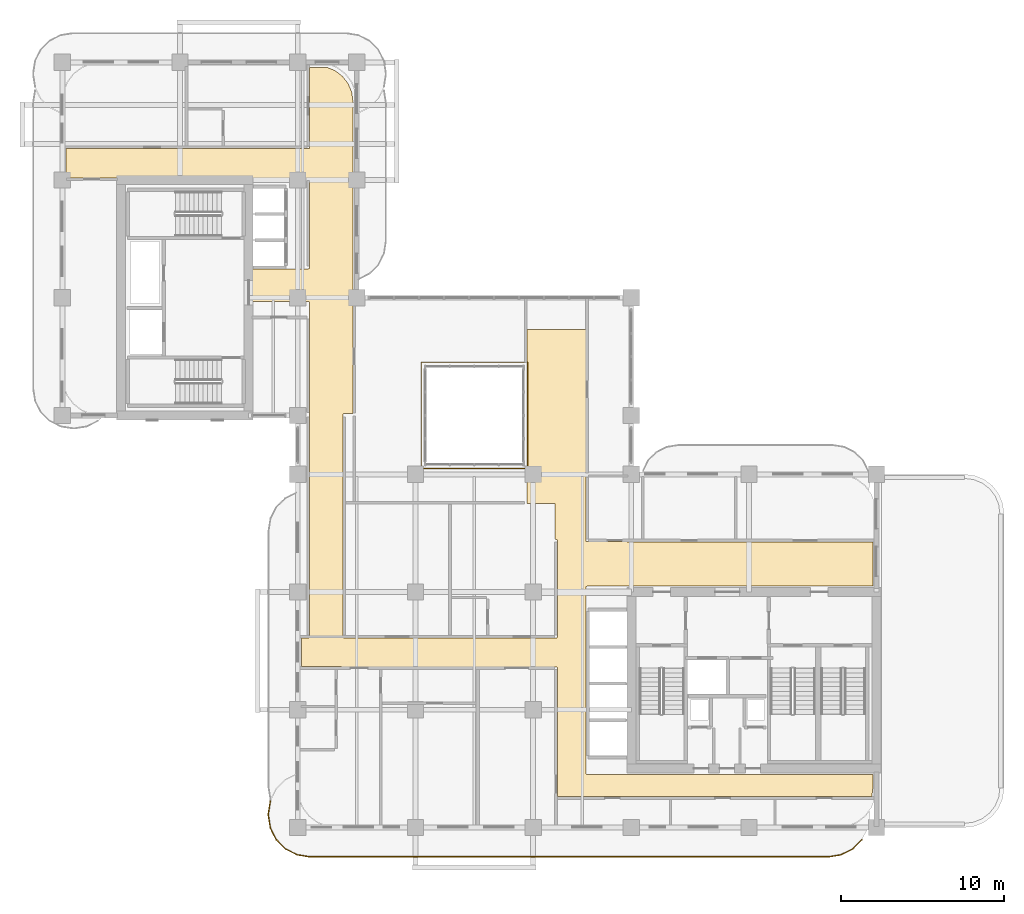
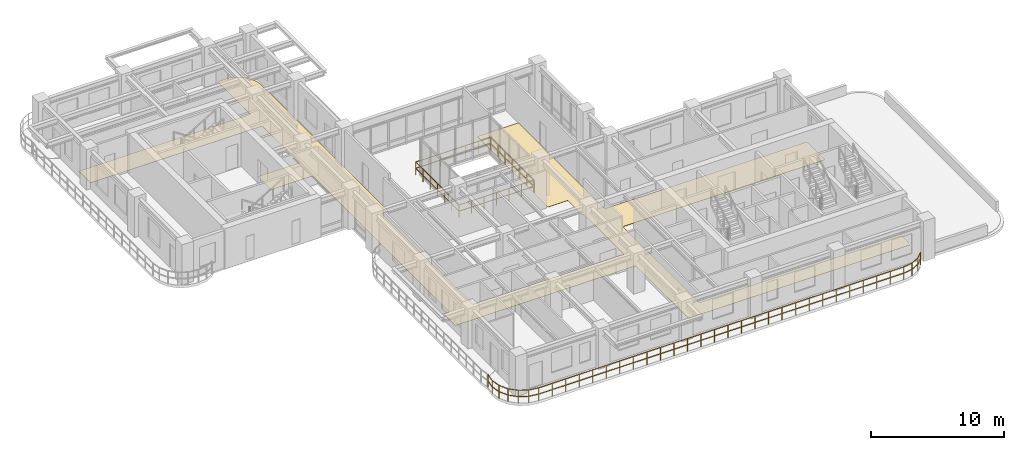
# One storey, part 17 of 20: 2 railings, 1 covering.
"""IFC4 building model written with IfcOpenShell, lengths in metres."""

from ifc_helpers import new_model, si_unit, derived_unit, direction, frame, origin, origin_2d, place, context, subcontext, project, spatial, polyline, rectangle, outline, extrude, material, layer, layer_set, type_object, element, save


model = new_model("IFC4")

# Units and contexts
model_context = context("Model", 3, precision=1e-05, world=origin(), true_north=direction((0.0, 1.0)))
body_context = subcontext(model_context, "Body", "Model", "MODEL_VIEW")
ifc_project = project(units=[si_unit("LENGTHUNIT", "METRE"), si_unit("AREAUNIT", "SQUARE_METRE"), si_unit("VOLUMEUNIT", "CUBIC_METRE"), si_unit("PLANEANGLEUNIT", "RADIAN"), si_unit("MASSUNIT", "GRAM", prefix="KILO"), si_unit("THERMODYNAMICTEMPERATUREUNIT", "KELVIN"), si_unit("POWERUNIT", "WATT"), derived_unit("THERMALTRANSMITTANCEUNIT", [(si_unit("POWERUNIT", "WATT"), 1), (si_unit("AREAUNIT", "SQUARE_METRE"), -1), (si_unit("THERMODYNAMICTEMPERATUREUNIT", "KELVIN"), -1)])], contexts=[model_context])

# Site, building, storey
site_placement = place(None, origin())
site = spatial("IfcSite", under=ifc_project, at=site_placement, CompositionType="ELEMENT")
building_placement = place(site_placement, origin())
building = spatial("IfcBuilding", under=site, at=building_placement, Name="Zahravan Archway Hotel and Residences", CompositionType="ELEMENT")
storey_placement = place(building_placement, frame((0.0, 0.0, 111.800048828125)))
storey = spatial("IfcBuildingStorey", under=building, at=storey_placement, Name="L27", CompositionType="ELEMENT", Elevation=111.800048828125)

# Covering
ifc_material_1 = material(Name="Engineered Walnut Parquet Flooring")
ifc_layer = layer(ifc_material_1, 0.02197265625, Name="Engineered Walnut Parquet Flooring")
ifc_layer_set = layer_set([ifc_layer], Name="Engineered Walnut Parquet Flooring")
covering_type = type_object("IfcCoveringType", Name="COV-FLR-TIMB", PredefinedType="FLOORING", material=ifc_layer_set)
covering_placement = place(storey_placement, origin())
element("IfcCovering", 1, at=covering_placement, inside=storey, type_object=covering_type, Name="L27 Circulation Floor Finish", PredefinedType="FLOORING", context=body_context, shape_type="SweptSolid", body=[
    extrude(outline(polyline([(32.08447265625, 14.75341796875), (32.04345703125, 14.731689453125), (32.021484375, 14.690673828125), (32.02001953125, 3.324951171875), (32.033447265625, 3.280517578125), (32.0693359375, 3.251220703125), (49.580078125, 3.2451171875), (49.580078125, 2.414306640625), (49.509521484375, 1.8798828125), (30.280029296875, 1.8798828125), (30.280029296875, 9.75), (30.2666015625, 9.79443359375), (30.230712890625, 9.823974609375), (14.6201171875, 9.830078125), (14.6201171875, 11.590087890625), (15.050048828125, 11.590087890625), (15.094482421875, 11.603515625), (15.123779296875, 11.639404296875), (15.1298828125, 32.10009765625), (15.116455078125, 32.144287109375), (15.08056640625, 32.173828125), (11.530029296875, 32.179931640625), (11.530029296875, 34.169921875), (15.050048828125, 34.169921875), (15.094482421875, 34.18359375), (15.123779296875, 34.219482421875), (15.1298828125, 39.64990234375), (15.116455078125, 39.6943359375), (15.08056640625, 39.723876953125), (0.22998046875, 39.72998046875), (0.22998046875, 41.52001953125), (15.050048828125, 41.52001953125), (15.094482421875, 41.533447265625), (15.123779296875, 41.5693359375), (15.1298828125, 46.469970703125), (16.24560546875, 46.469970703125), (16.689208984375, 46.286376953125), (17.14013671875, 45.940185546875), (17.486328125, 45.489013671875), (17.703857421875, 44.9638671875), (17.77001953125, 44.46142578125), (17.77001953125, 25.330078125), (17.25, 25.330078125), (17.20556640625, 25.31640625), (17.176025390625, 25.280517578125), (17.169921875, 11.669921875), (17.18359375, 11.62548828125), (17.219482421875, 11.59619140625), (30.199951171875, 11.590087890625), (30.244384765625, 11.603515625), (30.27392578125, 11.639404296875), (30.280029296875, 17.550048828125), (30.2666015625, 17.594482421875), (30.230712890625, 17.623779296875), (30.14990234375, 17.6298828125), (30.14990234375, 19.77001953125), (30.122802734375, 19.7998046875), (28.429931640625, 19.800048828125), (28.429931640625, 30.469970703125), (32.02001953125, 30.469970703125), (32.02001953125, 17.550048828125), (32.033447265625, 17.505615234375), (32.0693359375, 17.47607421875), (49.580078125, 17.469970703125), (49.580078125, 14.7548828125), (32.10009765625, 14.7548828125), (32.08447265625, 14.75341796875)])), origin(), (0.0, 0.0, 1.0), 0.02197265625),
])

# Railings
ifc_material_2 = material(Name="Atrium Laminated Glass Guardrail", Category="glass")
railing_type_1 = type_object("IfcRailingType", Name="RL-ATR-1200", PredefinedType="BALUSTRADE", material=ifc_material_2)
railing_1_placement = place(storey_placement, frame((21.949951171875, 21.949951171875, 0.0)))
element("IfcRailing", 2, at=railing_1_placement, inside=storey, type_object=railing_type_1, Name="L27 Balustrade RL-ATR-L27", PredefinedType="BALUSTRADE", context=body_context, shape_type="SweptSolid", body=[
    extrude(rectangle(XDim=0.048095703125, YDim=0.048095703125, at=origin_2d()), frame((0.0, 0.0, 1.17578125), z_axis=(1.0, 0.0, 0.0), x_axis=(0.0, 1.0, 0.0)), (0.0, 0.0, 1.0), 6.5),
    extrude(rectangle(XDim=0.048095703125, YDim=0.048095703125, at=origin_2d()), frame((0.0, 0.0, 0.60009765625), z_axis=(1.0, 0.0, 0.0), x_axis=(0.0, 1.0, 0.0)), (0.0, 0.0, 1.0), 6.5),
    extrude(rectangle(XDim=0.048095703125, YDim=0.048095703125, at=origin_2d()), frame((6.5, 0.0, 1.17578125), z_axis=(0.0, 1.0, 0.0), x_axis=(-1.0, 0.0, 0.0)), (0.0, 0.0, 1.0), 6.5),
    extrude(rectangle(XDim=0.048095703125, YDim=0.048095703125, at=origin_2d()), frame((6.5, 0.0, 0.60009765625), z_axis=(0.0, 1.0, 0.0), x_axis=(-1.0, 0.0, 0.0)), (0.0, 0.0, 1.0), 6.5),
    extrude(rectangle(XDim=0.048095703125, YDim=0.048095703125, at=origin_2d()), frame((6.5, 6.5, 1.17578125), z_axis=(-1.0, 0.0, 0.0), x_axis=(0.0, -1.0, 0.0)), (0.0, 0.0, 1.0), 6.5),
    extrude(rectangle(XDim=0.048095703125, YDim=0.048095703125, at=origin_2d()), frame((6.5, 6.5, 0.60009765625), z_axis=(-1.0, 0.0, 0.0), x_axis=(0.0, -1.0, 0.0)), (0.0, 0.0, 1.0), 6.5),
    extrude(rectangle(XDim=0.048095703125, YDim=0.048095703125, at=origin_2d()), frame((0.0, 6.5, 1.17578125), z_axis=(0.0, -1.0, 0.0), x_axis=(1.0, 0.0, 0.0)), (0.0, 0.0, 1.0), 6.5),
    extrude(rectangle(XDim=0.048095703125, YDim=0.048095703125, at=origin_2d()), frame((0.0, 6.5, 0.60009765625), z_axis=(0.0, -1.0, 0.0), x_axis=(1.0, 0.0, 0.0)), (0.0, 0.0, 1.0), 6.5),
    extrude(rectangle(XDim=0.0419921875, YDim=0.0419921875, at=origin_2d()), origin(), (0.0, 0.0, 1.0), 1.15185546875),
    extrude(rectangle(XDim=0.0419921875, YDim=0.0419921875, at=origin_2d()), frame((1.083251953125, 0.0, 0.0)), (0.0, 0.0, 1.0), 1.15185546875),
    extrude(rectangle(XDim=0.0419921875, YDim=0.0419921875, at=origin_2d()), frame((2.166748046875, 0.0, 0.0)), (0.0, 0.0, 1.0), 1.15185546875),
    extrude(rectangle(XDim=0.0419921875, YDim=0.0419921875, at=origin_2d()), frame((3.25, 0.0, 0.0)), (0.0, 0.0, 1.0), 1.15185546875),
    extrude(rectangle(XDim=0.0419921875, YDim=0.0419921875, at=origin_2d()), frame((4.333251953125, 0.0, 0.0)), (0.0, 0.0, 1.0), 1.15185546875),
    extrude(rectangle(XDim=0.0419921875, YDim=0.0419921875, at=origin_2d()), frame((5.416748046875, 0.0, 0.0)), (0.0, 0.0, 1.0), 1.15185546875),
    extrude(rectangle(XDim=0.0419921875, YDim=0.0419921875, at=origin_2d()), frame((6.5, 0.0, 0.0)), (0.0, 0.0, 1.0), 1.15185546875),
    extrude(rectangle(XDim=0.0419921875, YDim=0.0419921875, at=origin_2d()), frame((6.5, 1.083251953125, 0.0)), (0.0, 0.0, 1.0), 1.15185546875),
    extrude(rectangle(XDim=0.0419921875, YDim=0.0419921875, at=origin_2d()), frame((6.5, 2.166748046875, 0.0)), (0.0, 0.0, 1.0), 1.15185546875),
    extrude(rectangle(XDim=0.0419921875, YDim=0.0419921875, at=origin_2d()), frame((6.5, 3.25, 0.0)), (0.0, 0.0, 1.0), 1.15185546875),
    extrude(rectangle(XDim=0.0419921875, YDim=0.0419921875, at=origin_2d()), frame((6.5, 4.333251953125, 0.0)), (0.0, 0.0, 1.0), 1.15185546875),
    extrude(rectangle(XDim=0.0419921875, YDim=0.0419921875, at=origin_2d()), frame((6.5, 5.416748046875, 0.0)), (0.0, 0.0, 1.0), 1.15185546875),
    extrude(rectangle(XDim=0.0419921875, YDim=0.0419921875, at=origin_2d()), frame((6.5, 6.5, 0.0)), (0.0, 0.0, 1.0), 1.15185546875),
    extrude(rectangle(XDim=0.0419921875, YDim=0.0419921875, at=origin_2d()), frame((5.416748046875, 6.5, 0.0)), (0.0, 0.0, 1.0), 1.15185546875),
    extrude(rectangle(XDim=0.0419921875, YDim=0.0419921875, at=origin_2d()), frame((4.333251953125, 6.5, 0.0)), (0.0, 0.0, 1.0), 1.15185546875),
    extrude(rectangle(XDim=0.0419921875, YDim=0.0419921875, at=origin_2d()), frame((3.25, 6.5, 0.0)), (0.0, 0.0, 1.0), 1.15185546875),
    extrude(rectangle(XDim=0.0419921875, YDim=0.0419921875, at=origin_2d()), frame((2.166748046875, 6.5, 0.0)), (0.0, 0.0, 1.0), 1.15185546875),
    extrude(rectangle(XDim=0.0419921875, YDim=0.0419921875, at=origin_2d()), frame((1.083251953125, 6.5, 0.0)), (0.0, 0.0, 1.0), 1.15185546875),
    extrude(rectangle(XDim=0.0419921875, YDim=0.0419921875, at=origin_2d()), frame((0.0, 6.5, 0.0)), (0.0, 0.0, 1.0), 1.15185546875),
    extrude(rectangle(XDim=0.0419921875, YDim=0.0419921875, at=origin_2d()), frame((0.0, 5.416748046875, 0.0)), (0.0, 0.0, 1.0), 1.15185546875),
    extrude(rectangle(XDim=0.0419921875, YDim=0.0419921875, at=origin_2d()), frame((0.0, 4.333251953125, 0.0)), (0.0, 0.0, 1.0), 1.15185546875),
    extrude(rectangle(XDim=0.0419921875, YDim=0.0419921875, at=origin_2d()), frame((0.0, 3.25, 0.0)), (0.0, 0.0, 1.0), 1.15185546875),
    extrude(rectangle(XDim=0.0419921875, YDim=0.0419921875, at=origin_2d()), frame((0.0, 2.166748046875, 0.0)), (0.0, 0.0, 1.0), 1.15185546875),
    extrude(rectangle(XDim=0.0419921875, YDim=0.0419921875, at=origin_2d()), frame((0.0, 1.083251953125, 0.0)), (0.0, 0.0, 1.0), 1.15185546875),
])
ifc_material_3 = material(Name="Bronze & Laminated Glass Balustrade", Category="glass")
railing_type_2 = type_object("IfcRailingType", Name="RL-BAL-1200", PredefinedType="BALUSTRADE", material=ifc_material_3)
railing_2_placement = place(storey_placement, frame((48.9130859375, -0.748779296875, 0.0)))
element("IfcRailing", 3, at=railing_2_placement, inside=storey, type_object=railing_type_2, Name="L27 Balustrade RL-SLB-BAL-L27-SA-1", PredefinedType="BALUSTRADE", context=body_context, shape_type="SweptSolid", body=[
    extrude(rectangle(XDim=0.048095703125, YDim=0.048095703125, at=origin_2d()), frame((0.0, 0.0, 1.17578125), z_axis=(-0.707106781187, -0.707106781187, 0.0), x_axis=(0.707106781187, -0.707106781187, 0.0)), (0.0, 0.0, 1.0), 0.7978515625),
    extrude(rectangle(XDim=0.048095703125, YDim=0.048095703125, at=origin_2d()), frame((0.0, 0.0, 0.60009765625), z_axis=(-0.707106781187, -0.707106781187, 0.0), x_axis=(0.707106781187, -0.707106781187, 0.0)), (0.0, 0.0, 1.0), 0.7978515625),
    extrude(rectangle(XDim=0.048095703125, YDim=0.048095703125, at=origin_2d()), frame((-0.564208984375, -0.564208984375, 1.17578125), z_axis=(-0.890974108706, -0.454054113091, 0.0), x_axis=(0.454054113091, -0.890974108706, 0.0)), (0.0, 0.0, 1.0), 0.7978515625),
    extrude(rectangle(XDim=0.048095703125, YDim=0.048095703125, at=origin_2d()), frame((-0.564208984375, -0.564208984375, 0.60009765625), z_axis=(-0.890974108706, -0.454054113091, 0.0), x_axis=(0.454054113091, -0.890974108706, 0.0)), (0.0, 0.0, 1.0), 0.7978515625),
    extrude(rectangle(XDim=0.048095703125, YDim=0.048095703125, at=origin_2d()), frame((-1.275146484375, -0.926513671875, 1.17578125), z_axis=(-0.987693380745, -0.156402639467, 0.0), x_axis=(0.156402639467, -0.987693380745, 0.0)), (0.0, 0.0, 1.0), 0.797607421875),
    extrude(rectangle(XDim=0.048095703125, YDim=0.048095703125, at=origin_2d()), frame((-1.275146484375, -0.926513671875, 0.60009765625), z_axis=(-0.987693380745, -0.156402639467, 0.0), x_axis=(0.156402639467, -0.987693380745, 0.0)), (0.0, 0.0, 1.0), 0.797607421875),
    extrude(rectangle(XDim=0.048095703125, YDim=0.048095703125, at=origin_2d()), frame((-2.06298828125, -1.05126953125, 1.17578125), z_axis=(-1.0, 0.0, 0.0), x_axis=(0.0, -1.0, 0.0)), (0.0, 0.0, 1.0), 31.7001953125),
    extrude(rectangle(XDim=0.048095703125, YDim=0.048095703125, at=origin_2d()), frame((-2.06298828125, -1.05126953125, 0.60009765625), z_axis=(-1.0, 0.0, 0.0), x_axis=(0.0, -1.0, 0.0)), (0.0, 0.0, 1.0), 31.7001953125),
    extrude(rectangle(XDim=0.048095703125, YDim=0.048095703125, at=origin_2d()), frame((-33.76318359375, -1.05126953125, 1.17578125), z_axis=(-0.987693380745, 0.156402639467, 0.0), x_axis=(-0.156402639467, -0.987693380745, 0.0)), (0.0, 0.0, 1.0), 0.797607421875),
    extrude(rectangle(XDim=0.048095703125, YDim=0.048095703125, at=origin_2d()), frame((-33.76318359375, -1.05126953125, 0.60009765625), z_axis=(-0.987693380745, 0.156402639467, 0.0), x_axis=(-0.156402639467, -0.987693380745, 0.0)), (0.0, 0.0, 1.0), 0.797607421875),
    extrude(rectangle(XDim=0.048095703125, YDim=0.048095703125, at=origin_2d()), frame((-34.551025390625, -0.926513671875, 1.17578125), z_axis=(-0.890974108706, 0.454054113091, 0.0), x_axis=(-0.454054113091, -0.890974108706, 0.0)), (0.0, 0.0, 1.0), 0.7978515625),
    extrude(rectangle(XDim=0.048095703125, YDim=0.048095703125, at=origin_2d()), frame((-34.551025390625, -0.926513671875, 0.60009765625), z_axis=(-0.890974108706, 0.454054113091, 0.0), x_axis=(-0.454054113091, -0.890974108706, 0.0)), (0.0, 0.0, 1.0), 0.7978515625),
    extrude(rectangle(XDim=0.048095703125, YDim=0.048095703125, at=origin_2d()), frame((-35.261962890625, -0.564208984375, 1.17578125), z_axis=(-0.707106781187, 0.707106781187, 0.0), x_axis=(-0.707106781187, -0.707106781187, 0.0)), (0.0, 0.0, 1.0), 0.7978515625),
    extrude(rectangle(XDim=0.048095703125, YDim=0.048095703125, at=origin_2d()), frame((-35.261962890625, -0.564208984375, 0.60009765625), z_axis=(-0.707106781187, 0.707106781187, 0.0), x_axis=(-0.707106781187, -0.707106781187, 0.0)), (0.0, 0.0, 1.0), 0.7978515625),
    extrude(rectangle(XDim=0.048095703125, YDim=0.048095703125, at=origin_2d()), frame((-35.826171875, 0.0, 1.17578125), z_axis=(-0.453934952053, 0.891034824967, 0.0), x_axis=(-0.891034824967, -0.453934952053, 0.0)), (0.0, 0.0, 1.0), 0.797607421875),
    extrude(rectangle(XDim=0.048095703125, YDim=0.048095703125, at=origin_2d()), frame((-35.826171875, 0.0, 0.60009765625), z_axis=(-0.453934952053, 0.891034824967, 0.0), x_axis=(-0.891034824967, -0.453934952053, 0.0)), (0.0, 0.0, 1.0), 0.797607421875),
    extrude(rectangle(XDim=0.048095703125, YDim=0.048095703125, at=origin_2d()), frame((-36.188232421875, 0.710693359375, 1.17578125), z_axis=(-0.156355372278, 0.987700864412, 0.0), x_axis=(-0.987700864412, -0.156355372278, 0.0)), (0.0, 0.0, 1.0), 0.7978515625),
    extrude(rectangle(XDim=0.048095703125, YDim=0.048095703125, at=origin_2d()), frame((-36.188232421875, 0.710693359375, 0.60009765625), z_axis=(-0.156355372278, 0.987700864412, 0.0), x_axis=(-0.987700864412, -0.156355372278, 0.0)), (0.0, 0.0, 1.0), 0.7978515625),
    extrude(rectangle(XDim=0.048095703125, YDim=0.048095703125, at=origin_2d()), frame((-36.31298828125, 1.498779296875, 1.17578125), z_axis=(0.0, 1.0, 0.0), x_axis=(-1.0, 0.0, 0.0)), (0.0, 0.0, 1.0), 0.10009765625),
    extrude(rectangle(XDim=0.048095703125, YDim=0.048095703125, at=origin_2d()), frame((-36.31298828125, 1.498779296875, 0.60009765625), z_axis=(0.0, 1.0, 0.0), x_axis=(-1.0, 0.0, 0.0)), (0.0, 0.0, 1.0), 0.10009765625),
    extrude(rectangle(XDim=0.048095703125, YDim=0.048095703125, at=origin_2d()), frame((-36.31298828125, 1.598876953125, 1.17578125), z_axis=(0.156402639467, 0.987693380745, 0.0), x_axis=(-0.987693380745, 0.156402639467, 0.0)), (0.0, 0.0, 1.0), 0.797607421875),
    extrude(rectangle(XDim=0.048095703125, YDim=0.048095703125, at=origin_2d()), frame((-36.31298828125, 1.598876953125, 0.60009765625), z_axis=(0.156402639467, 0.987693380745, 0.0), x_axis=(-0.987693380745, 0.156402639467, 0.0)), (0.0, 0.0, 1.0), 0.797607421875),
    extrude(rectangle(XDim=0.0419921875, YDim=0.0419921875, at=origin_2d()), origin(), (0.0, 0.0, 1.0), 1.15185546875),
    extrude(rectangle(XDim=0.0419921875, YDim=0.0419921875, at=origin_2d()), frame((-0.564208984375, -0.564208984375, 0.0)), (0.0, 0.0, 1.0), 1.15185546875),
    extrude(rectangle(XDim=0.0419921875, YDim=0.0419921875, at=origin_2d()), frame((-1.275146484375, -0.926513671875, 0.0)), (0.0, 0.0, 1.0), 1.15185546875),
    extrude(rectangle(XDim=0.0419921875, YDim=0.0419921875, at=origin_2d()), frame((-2.06298828125, -1.05126953125, 0.0)), (0.0, 0.0, 1.0), 1.15185546875),
    extrude(rectangle(XDim=0.0419921875, YDim=0.0419921875, at=origin_2d()), frame((-3.237060546875, -1.05126953125, 0.0)), (0.0, 0.0, 1.0), 1.15185546875),
    extrude(rectangle(XDim=0.0419921875, YDim=0.0419921875, at=origin_2d()), frame((-4.4111328125, -1.05126953125, 0.0)), (0.0, 0.0, 1.0), 1.15185546875),
    extrude(rectangle(XDim=0.0419921875, YDim=0.0419921875, at=origin_2d()), frame((-5.585205078125, -1.05126953125, 0.0)), (0.0, 0.0, 1.0), 1.15185546875),
    extrude(rectangle(XDim=0.0419921875, YDim=0.0419921875, at=origin_2d()), frame((-6.75927734375, -1.05126953125, 0.0)), (0.0, 0.0, 1.0), 1.15185546875),
    extrude(rectangle(XDim=0.0419921875, YDim=0.0419921875, at=origin_2d()), frame((-7.933349609375, -1.05126953125, 0.0)), (0.0, 0.0, 1.0), 1.15185546875),
    extrude(rectangle(XDim=0.0419921875, YDim=0.0419921875, at=origin_2d()), frame((-9.107421875, -1.05126953125, 0.0)), (0.0, 0.0, 1.0), 1.15185546875),
    extrude(rectangle(XDim=0.0419921875, YDim=0.0419921875, at=origin_2d()), frame((-10.281494140625, -1.05126953125, 0.0)), (0.0, 0.0, 1.0), 1.15185546875),
    extrude(rectangle(XDim=0.0419921875, YDim=0.0419921875, at=origin_2d()), frame((-11.45556640625, -1.05126953125, 0.0)), (0.0, 0.0, 1.0), 1.15185546875),
    extrude(rectangle(XDim=0.0419921875, YDim=0.0419921875, at=origin_2d()), frame((-12.629638671875, -1.05126953125, 0.0)), (0.0, 0.0, 1.0), 1.15185546875),
    extrude(rectangle(XDim=0.0419921875, YDim=0.0419921875, at=origin_2d()), frame((-13.8037109375, -1.05126953125, 0.0)), (0.0, 0.0, 1.0), 1.15185546875),
    extrude(rectangle(XDim=0.0419921875, YDim=0.0419921875, at=origin_2d()), frame((-14.977783203125, -1.05126953125, 0.0)), (0.0, 0.0, 1.0), 1.15185546875),
    extrude(rectangle(XDim=0.0419921875, YDim=0.0419921875, at=origin_2d()), frame((-16.15185546875, -1.05126953125, 0.0)), (0.0, 0.0, 1.0), 1.15185546875),
    extrude(rectangle(XDim=0.0419921875, YDim=0.0419921875, at=origin_2d()), frame((-17.325927734375, -1.05126953125, 0.0)), (0.0, 0.0, 1.0), 1.15185546875),
    extrude(rectangle(XDim=0.0419921875, YDim=0.0419921875, at=origin_2d()), frame((-18.500244140625, -1.05126953125, 0.0)), (0.0, 0.0, 1.0), 1.15185546875),
    extrude(rectangle(XDim=0.0419921875, YDim=0.0419921875, at=origin_2d()), frame((-19.67431640625, -1.05126953125, 0.0)), (0.0, 0.0, 1.0), 1.15185546875),
    extrude(rectangle(XDim=0.0419921875, YDim=0.0419921875, at=origin_2d()), frame((-20.848388671875, -1.05126953125, 0.0)), (0.0, 0.0, 1.0), 1.15185546875),
    extrude(rectangle(XDim=0.0419921875, YDim=0.0419921875, at=origin_2d()), frame((-22.0224609375, -1.05126953125, 0.0)), (0.0, 0.0, 1.0), 1.15185546875),
    extrude(rectangle(XDim=0.0419921875, YDim=0.0419921875, at=origin_2d()), frame((-23.196533203125, -1.05126953125, 0.0)), (0.0, 0.0, 1.0), 1.15185546875),
    extrude(rectangle(XDim=0.0419921875, YDim=0.0419921875, at=origin_2d()), frame((-24.37060546875, -1.05126953125, 0.0)), (0.0, 0.0, 1.0), 1.15185546875),
    extrude(rectangle(XDim=0.0419921875, YDim=0.0419921875, at=origin_2d()), frame((-25.544677734375, -1.05126953125, 0.0)), (0.0, 0.0, 1.0), 1.15185546875),
    extrude(rectangle(XDim=0.0419921875, YDim=0.0419921875, at=origin_2d()), frame((-26.71875, -1.05126953125, 0.0)), (0.0, 0.0, 1.0), 1.15185546875),
    extrude(rectangle(XDim=0.0419921875, YDim=0.0419921875, at=origin_2d()), frame((-27.892822265625, -1.05126953125, 0.0)), (0.0, 0.0, 1.0), 1.15185546875),
    extrude(rectangle(XDim=0.0419921875, YDim=0.0419921875, at=origin_2d()), frame((-29.06689453125, -1.05126953125, 0.0)), (0.0, 0.0, 1.0), 1.15185546875),
    extrude(rectangle(XDim=0.0419921875, YDim=0.0419921875, at=origin_2d()), frame((-30.240966796875, -1.05126953125, 0.0)), (0.0, 0.0, 1.0), 1.15185546875),
    extrude(rectangle(XDim=0.0419921875, YDim=0.0419921875, at=origin_2d()), frame((-31.4150390625, -1.05126953125, 0.0)), (0.0, 0.0, 1.0), 1.15185546875),
    extrude(rectangle(XDim=0.0419921875, YDim=0.0419921875, at=origin_2d()), frame((-32.589111328125, -1.05126953125, 0.0)), (0.0, 0.0, 1.0), 1.15185546875),
    extrude(rectangle(XDim=0.0419921875, YDim=0.0419921875, at=origin_2d()), frame((-33.76318359375, -1.05126953125, 0.0)), (0.0, 0.0, 1.0), 1.15185546875),
    extrude(rectangle(XDim=0.0419921875, YDim=0.0419921875, at=origin_2d()), frame((-34.551025390625, -0.926513671875, 0.0)), (0.0, 0.0, 1.0), 1.15185546875),
    extrude(rectangle(XDim=0.0419921875, YDim=0.0419921875, at=origin_2d()), frame((-35.261962890625, -0.564208984375, 0.0)), (0.0, 0.0, 1.0), 1.15185546875),
    extrude(rectangle(XDim=0.0419921875, YDim=0.0419921875, at=origin_2d()), frame((-35.826171875, 0.0, 0.0)), (0.0, 0.0, 1.0), 1.15185546875),
    extrude(rectangle(XDim=0.0419921875, YDim=0.0419921875, at=origin_2d()), frame((-36.188232421875, 0.710693359375, 0.0)), (0.0, 0.0, 1.0), 1.15185546875),
    extrude(rectangle(XDim=0.0419921875, YDim=0.0419921875, at=origin_2d()), frame((-36.31298828125, 1.498779296875, 0.0)), (0.0, 0.0, 1.0), 1.15185546875),
    extrude(rectangle(XDim=0.0419921875, YDim=0.0419921875, at=origin_2d()), frame((-36.188232421875, 2.38671875, 0.0)), (0.0, 0.0, 1.0), 1.15185546875),
])

save(model, "model.ifc")
